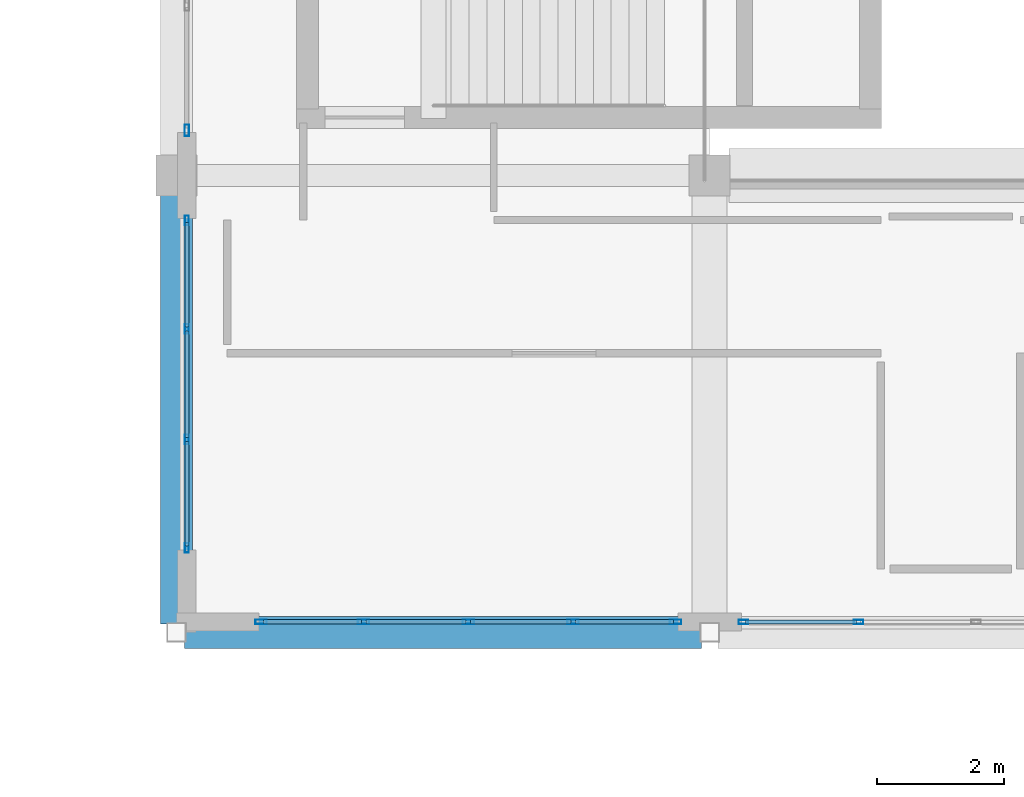
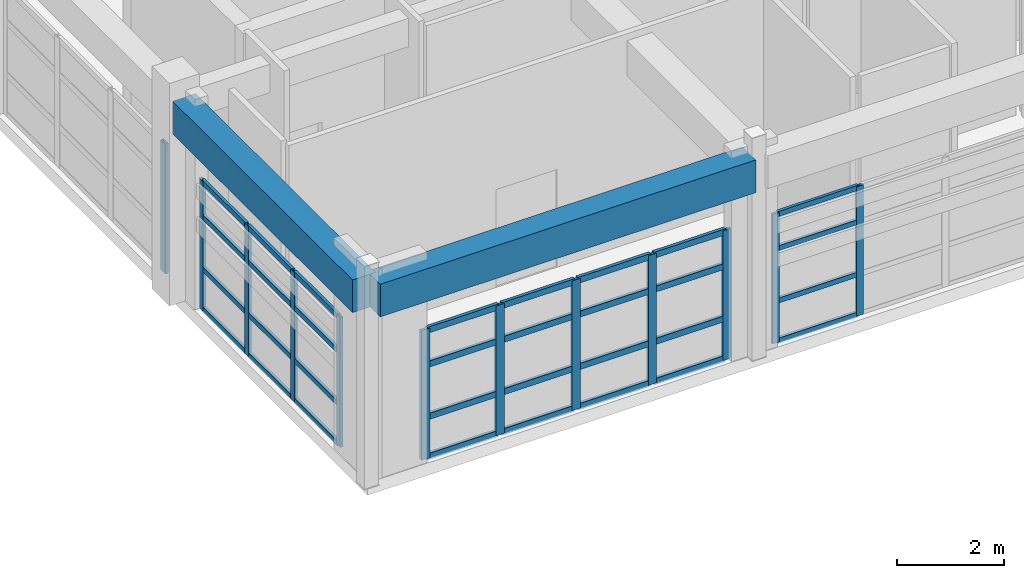
# One storey, part 57 of 103: 44 members, 2 beams, 4 elements without a shape of their own.
"""IFC4 building model written with IfcOpenShell, lengths in metres."""

from ifc_helpers import new_model, si_unit, direction, frame, origin, origin_2d, place, context, subcontext, project, spatial, rectangle, hollow_rectangle, extrude, material, layer, layer_set, material_profile, profile_set, type_object, element, aggregate, save


model = new_model("IFC4")

# Units and contexts
model_context = context("Model", 3, precision=1e-05, world=origin(), true_north=direction((0.0, 1.0)))
body_context = subcontext(model_context, "Body", "Model", "MODEL_VIEW")
ifc_project = project(units=[si_unit("LENGTHUNIT", "METRE"), si_unit("AREAUNIT", "SQUARE_METRE"), si_unit("VOLUMEUNIT", "CUBIC_METRE"), si_unit("PLANEANGLEUNIT", "RADIAN"), si_unit("MASSUNIT", "GRAM", prefix="KILO")], contexts=[model_context])

# Site, building, storey
site_placement = place(None, origin())
site = spatial("IfcSite", under=ifc_project, at=site_placement, CompositionType="ELEMENT")
building_placement = place(site_placement, origin())
building = spatial("IfcBuilding", under=site, at=building_placement, Name="Quendrovan Civic Courthouse", CompositionType="ELEMENT")
storey_placement = place(building_placement, frame((0.0, 0.0, 15.300048828125)))
storey = spatial("IfcBuildingStorey", under=building, at=storey_placement, Name="L04", CompositionType="ELEMENT", Elevation=15.300048828125)

# Beams
ifc_material_1 = material(Name="Concrete C40/50", Category="concrete")
ifc_material_profile_1 = material_profile(ifc_material_1, rectangle(XDim=0.5, YDim=0.75, at=origin_2d()), Name="RC-BM-500x750")
ifc_profile_set_1 = profile_set([ifc_material_profile_1], Name="Concrete C40/50")
beam_type = type_object("IfcBeamType", Name="BM-RC750", PredefinedType="SPANDREL", material=ifc_profile_set_1)
beam_1_placement = place(storey_placement, frame((109.330078125, 87.60009765625, 4.284912109375), z_axis=(1.0, 0.0, 0.0), x_axis=(0.0, 1.0, 0.0)))
element("IfcBeam", 1, at=beam_1_placement, inside=storey, type_object=beam_type, Name="L04 Girder X0910", PredefinedType="SPANDREL", context=body_context, shape_type="SweptSolid", body=[
    extrude(rectangle(XDim=0.5, YDim=0.75, at=origin_2d()), origin(), (0.0, 0.0, 1.0), 8.139892578125),
])
beam_2_placement = place(storey_placement, frame((109.199951171875, 87.72998046875, 4.284912109375), z_axis=(0.0, 1.0, 0.0), x_axis=(-1.0, 0.0, 0.0)))
element("IfcBeam", 2, at=beam_2_placement, inside=storey, type_object=beam_type, Name="L04 Girder Y0986", PredefinedType="SPANDREL", context=body_context, shape_type="SweptSolid", body=[
    extrude(rectangle(XDim=0.5, YDim=0.75, at=origin_2d()), origin(), (0.0, 0.0, 1.0), 6.76513671875),
])

# Curtain wall, members
ifc_material_2 = material(Name="Bronze anodised aluminium and low-E glass", Category="aluminium")
ifc_layer_1 = layer(ifc_material_2, 0.179931640625, Name="Bronze anodised aluminium and low-E glass")
ifc_layer_set_1 = layer_set([ifc_layer_1], Name="Bronze anodised aluminium and low-E glass")
curtain_wall_type_1 = type_object("IfcCurtainWallType", Name="CW-U66x30", PredefinedType="USERDEFINED", material=ifc_layer_set_1)
curtain_wall_1_placement = place(storey_placement, origin())
curtain_wall_1 = element("IfcCurtainWall", 3, at=curtain_wall_1_placement, inside=storey, type_object=curtain_wall_type_1, Name="L04 Unitised Hurricane Curtain Wall CW-176", ObjectType="UNITISED CURTAIN WALL", PredefinedType="USERDEFINED")
ifc_material_3 = material(Name="Bronze anodised aluminium", Category="aluminium")
ifc_material_profile_2 = material_profile(ifc_material_3, hollow_rectangle(XDim=0.070068359375, YDim=0.179931640625, WallThickness=0.00390625, at=origin_2d()), Name="CW-MULL-70x180")
ifc_profile_set_2 = profile_set([ifc_material_profile_2], Name="Bronze anodised aluminium")
member_type_1 = type_object("IfcMemberType", Name="CW-MULL-A", PredefinedType="MULLION", material=ifc_profile_set_2)
member_1_placement = place(storey_placement, frame((117.06494140625, 87.764892578125, 0.0), z_axis=(0.0, 0.0, 1.0), x_axis=(0.0, -1.0, 0.0)))
member_1 = element("IfcMember", 4, at=member_1_placement, type_object=member_type_1, Name="CW-176 mullion 1", PredefinedType="MULLION", context=body_context, shape_type="SweptSolid", body=[
    extrude(hollow_rectangle(XDim=0.070068359375, YDim=0.179931640625, WallThickness=0.00390625, at=origin_2d()), origin(), (0.0, 0.0, 1.0), 2.969970703125),
])
member_2_placement = place(storey_placement, frame((115.449951171875, 87.764892578125, 0.0), z_axis=(0.0, 0.0, 1.0), x_axis=(0.0, -1.0, 0.0)))
member_2 = element("IfcMember", 5, at=member_2_placement, type_object=member_type_1, Name="CW-176 mullion 2", PredefinedType="MULLION", context=body_context, shape_type="SweptSolid", body=[
    extrude(hollow_rectangle(XDim=0.070068359375, YDim=0.179931640625, WallThickness=0.00390625, at=origin_2d()), origin(), (0.0, 0.0, 1.0), 2.969970703125),
])
member_3_placement = place(storey_placement, frame((113.800048828125, 87.764892578125, 0.0), z_axis=(0.0, 0.0, 1.0), x_axis=(0.0, -1.0, 0.0)))
member_3 = element("IfcMember", 6, at=member_3_placement, type_object=member_type_1, Name="CW-176 mullion 3", PredefinedType="MULLION", context=body_context, shape_type="SweptSolid", body=[
    extrude(hollow_rectangle(XDim=0.070068359375, YDim=0.179931640625, WallThickness=0.00390625, at=origin_2d()), origin(), (0.0, 0.0, 1.0), 2.969970703125),
])
member_4_placement = place(storey_placement, frame((112.14990234375, 87.764892578125, 0.0), z_axis=(0.0, 0.0, 1.0), x_axis=(0.0, -1.0, 0.0)))
member_4 = element("IfcMember", 7, at=member_4_placement, type_object=member_type_1, Name="CW-176 mullion 4", PredefinedType="MULLION", context=body_context, shape_type="SweptSolid", body=[
    extrude(hollow_rectangle(XDim=0.070068359375, YDim=0.179931640625, WallThickness=0.00390625, at=origin_2d()), origin(), (0.0, 0.0, 1.0), 2.969970703125),
])
member_5_placement = place(storey_placement, frame((110.534912109375, 87.764892578125, 0.0), z_axis=(0.0, 0.0, 1.0), x_axis=(0.0, -1.0, 0.0)))
member_5 = element("IfcMember", 8, at=member_5_placement, type_object=member_type_1, Name="CW-176 mullion 5", PredefinedType="MULLION", context=body_context, shape_type="SweptSolid", body=[
    extrude(hollow_rectangle(XDim=0.070068359375, YDim=0.179931640625, WallThickness=0.00390625, at=origin_2d()), origin(), (0.0, 0.0, 1.0), 2.969970703125),
])

# Curtain wall, member
ifc_layer_2 = layer(ifc_material_2, 0.179931640625, Name="Bronze anodised aluminium and low-E glass")
ifc_layer_set_2 = layer_set([ifc_layer_2], Name="Bronze anodised aluminium and low-E glass")
curtain_wall_type_2 = type_object("IfcCurtainWallType", Name="CW-U60x30", PredefinedType="USERDEFINED", material=ifc_layer_set_2)
curtain_wall_2_placement = place(storey_placement, origin())
curtain_wall_2 = element("IfcCurtainWall", 9, at=curtain_wall_2_placement, inside=storey, type_object=curtain_wall_type_2, Name="L04 Unitised Hurricane Curtain Wall CW-178", ObjectType="UNITISED CURTAIN WALL", PredefinedType="USERDEFINED")
member_6_placement = place(storey_placement, frame((109.364990234375, 95.510009765625, 0.0), z_axis=(0.0, 0.0, 1.0), x_axis=(-1.0, 0.0, 0.0)))
member_6 = element("IfcMember", 10, at=member_6_placement, type_object=member_type_1, Name="CW-178 mullion 1", PredefinedType="MULLION", context=body_context, shape_type="SweptSolid", body=[
    extrude(hollow_rectangle(XDim=0.070068359375, YDim=0.179931640625, WallThickness=0.00390625, at=origin_2d()), origin(), (0.0, 0.0, 1.0), 2.969970703125),
])
aggregate(curtain_wall_2, [member_6])

# Curtain wall, members
ifc_layer_3 = layer(ifc_material_2, 0.179931640625, Name="Bronze anodised aluminium and low-E glass")
ifc_layer_set_3 = layer_set([ifc_layer_3], Name="Bronze anodised aluminium and low-E glass")
curtain_wall_type_3 = type_object("IfcCurtainWallType", Name="CW-U74x30", PredefinedType="USERDEFINED", material=ifc_layer_set_3)
curtain_wall_3_placement = place(storey_placement, origin())
curtain_wall_3 = element("IfcCurtainWall", 11, at=curtain_wall_3_placement, inside=storey, type_object=curtain_wall_type_3, Name="L04 Unitised Hurricane Curtain Wall CW-175", ObjectType="UNITISED CURTAIN WALL", PredefinedType="USERDEFINED")
ifc_material_profile_3 = material_profile(ifc_material_3, hollow_rectangle(XDim=0.06494140625, YDim=0.14990234375, WallThickness=0.00390625, at=origin_2d()), Name="CW-MULL-65x150")
ifc_profile_set_3 = profile_set([ifc_material_profile_3], Name="Bronze anodised aluminium")
member_type_2 = type_object("IfcMemberType", Name="CW-MULL-B", PredefinedType="MULLION", material=ifc_profile_set_3)
member_7_placement = place(storey_placement, frame((119.949951171875, 87.764892578125, 0.0), z_axis=(0.0, 0.0, 1.0), x_axis=(0.0, -1.0, 0.0)))
member_7 = element("IfcMember", 12, at=member_7_placement, type_object=member_type_2, Name="CW-175 mullion 4", PredefinedType="MULLION", context=body_context, shape_type="SweptSolid", body=[
    extrude(hollow_rectangle(XDim=0.06494140625, YDim=0.14990234375, WallThickness=0.00390625, at=origin_2d()), origin(), (0.0, 0.0, 1.0), 2.969970703125),
])
member_8_placement = place(storey_placement, frame((118.132568359375, 87.764892578125, 0.0), z_axis=(0.0, 0.0, 1.0), x_axis=(0.0, -1.0, 0.0)))
member_8 = element("IfcMember", 13, at=member_8_placement, type_object=member_type_2, Name="CW-175 mullion 5", PredefinedType="MULLION", context=body_context, shape_type="SweptSolid", body=[
    extrude(hollow_rectangle(XDim=0.06494140625, YDim=0.14990234375, WallThickness=0.00390625, at=origin_2d()), origin(), (0.0, 0.0, 1.0), 2.969970703125),
])

ifc_layer_4 = layer(ifc_material_2, 0.179931640625, Name="Bronze anodised aluminium and low-E glass")
ifc_layer_set_4 = layer_set([ifc_layer_4], Name="Bronze anodised aluminium and low-E glass")
curtain_wall_type_4 = type_object("IfcCurtainWallType", Name="CW-U52x30", PredefinedType="USERDEFINED", material=ifc_layer_set_4)
curtain_wall_4_placement = place(storey_placement, origin())
curtain_wall_4 = element("IfcCurtainWall", 14, at=curtain_wall_4_placement, inside=storey, type_object=curtain_wall_type_4, Name="L04 Unitised Hurricane Curtain Wall CW-177", ObjectType="UNITISED CURTAIN WALL", PredefinedType="USERDEFINED")
member_9_placement = place(storey_placement, frame((109.364990234375, 88.9326171875, 0.0), z_axis=(0.0, 0.0, 1.0), x_axis=(-1.0, 0.0, 0.0)))
member_9 = element("IfcMember", 15, at=member_9_placement, type_object=member_type_2, Name="CW-177 mullion 1", PredefinedType="MULLION", context=body_context, shape_type="SweptSolid", body=[
    extrude(hollow_rectangle(XDim=0.06494140625, YDim=0.14990234375, WallThickness=0.00390625, at=origin_2d()), origin(), (0.0, 0.0, 1.0), 2.969970703125),
])
member_10_placement = place(storey_placement, frame((109.364990234375, 90.6416015625, 0.0), z_axis=(0.0, 0.0, 1.0), x_axis=(-1.0, 0.0, 0.0)))
member_10 = element("IfcMember", 16, at=member_10_placement, type_object=member_type_2, Name="CW-177 mullion 2", PredefinedType="MULLION", context=body_context, shape_type="SweptSolid", body=[
    extrude(hollow_rectangle(XDim=0.06494140625, YDim=0.14990234375, WallThickness=0.00390625, at=origin_2d()), origin(), (0.0, 0.0, 1.0), 2.969970703125),
])
member_11_placement = place(storey_placement, frame((109.364990234375, 92.38330078125, 0.0), z_axis=(0.0, 0.0, 1.0), x_axis=(-1.0, 0.0, 0.0)))
member_11 = element("IfcMember", 17, at=member_11_placement, type_object=member_type_2, Name="CW-177 mullion 3", PredefinedType="MULLION", context=body_context, shape_type="SweptSolid", body=[
    extrude(hollow_rectangle(XDim=0.06494140625, YDim=0.14990234375, WallThickness=0.00390625, at=origin_2d()), origin(), (0.0, 0.0, 1.0), 2.969970703125),
])
member_12_placement = place(storey_placement, frame((109.364990234375, 94.092529296875, 0.0), z_axis=(0.0, 0.0, 1.0), x_axis=(-1.0, 0.0, 0.0)))
member_12 = element("IfcMember", 18, at=member_12_placement, type_object=member_type_2, Name="CW-177 mullion 4", PredefinedType="MULLION", context=body_context, shape_type="SweptSolid", body=[
    extrude(hollow_rectangle(XDim=0.06494140625, YDim=0.14990234375, WallThickness=0.00390625, at=origin_2d()), origin(), (0.0, 0.0, 1.0), 2.969970703125),
])

# Member
ifc_material_profile_4 = material_profile(ifc_material_3, hollow_rectangle(XDim=0.070068359375, YDim=0.139892578125, WallThickness=0.00390625, at=origin_2d()), Name="CW-TRAN-70x140")
ifc_profile_set_4 = profile_set([ifc_material_profile_4], Name="Bronze anodised aluminium")
member_type_3 = type_object("IfcMemberType", Name="CW-TRAN-A", PredefinedType="USERDEFINED", material=ifc_profile_set_4)
member_13_placement = place(storey_placement, frame((117.030029296875, 87.764892578125, 0.034912109375), z_axis=(-1.0, 0.0, 0.0), x_axis=(0.0, -1.0, 0.0)))
member_13 = element("IfcMember", 19, at=member_13_placement, type_object=member_type_3, Name="CW-176 transom 1.1", ObjectType="TRANSOM", PredefinedType="USERDEFINED", context=body_context, shape_type="SweptSolid", body=[
    extrude(hollow_rectangle(XDim=0.070068359375, YDim=0.139892578125, WallThickness=0.00390625, at=origin_2d()), origin(), (0.0, 0.0, 1.0), 1.544921875),
])

member_14_placement = place(storey_placement, frame((117.030029296875, 87.764892578125, 0.949951171875), z_axis=(-1.0, 0.0, 0.0), x_axis=(0.0, -1.0, 0.0)))
member_14 = element("IfcMember", 20, at=member_14_placement, type_object=member_type_3, Name="CW-176 transom 1.2", ObjectType="TRANSOM", PredefinedType="USERDEFINED", context=body_context, shape_type="SweptSolid", body=[
    extrude(hollow_rectangle(XDim=0.070068359375, YDim=0.139892578125, WallThickness=0.00390625, at=origin_2d()), origin(), (0.0, 0.0, 1.0), 1.544921875),
])

member_15_placement = place(storey_placement, frame((117.030029296875, 87.764892578125, 2.14990234375), z_axis=(-1.0, 0.0, 0.0), x_axis=(0.0, -1.0, 0.0)))
member_15 = element("IfcMember", 21, at=member_15_placement, type_object=member_type_3, Name="CW-176 transom 1.3", ObjectType="TRANSOM", PredefinedType="USERDEFINED", context=body_context, shape_type="SweptSolid", body=[
    extrude(hollow_rectangle(XDim=0.070068359375, YDim=0.139892578125, WallThickness=0.00390625, at=origin_2d()), origin(), (0.0, 0.0, 1.0), 1.544921875),
])

member_16_placement = place(storey_placement, frame((117.030029296875, 87.764892578125, 2.93505859375), z_axis=(-1.0, 0.0, 0.0), x_axis=(0.0, -1.0, 0.0)))
member_16 = element("IfcMember", 22, at=member_16_placement, type_object=member_type_3, Name="CW-176 transom 1.4", ObjectType="TRANSOM", PredefinedType="USERDEFINED", context=body_context, shape_type="SweptSolid", body=[
    extrude(hollow_rectangle(XDim=0.070068359375, YDim=0.139892578125, WallThickness=0.00390625, at=origin_2d()), origin(), (0.0, 0.0, 1.0), 1.544921875),
])

member_17_placement = place(storey_placement, frame((115.4150390625, 87.764892578125, 0.034912109375), z_axis=(-1.0, 0.0, 0.0), x_axis=(0.0, -1.0, 0.0)))
member_17 = element("IfcMember", 23, at=member_17_placement, type_object=member_type_3, Name="CW-176 transom 2.1", ObjectType="TRANSOM", PredefinedType="USERDEFINED", context=body_context, shape_type="SweptSolid", body=[
    extrude(hollow_rectangle(XDim=0.070068359375, YDim=0.139892578125, WallThickness=0.00390625, at=origin_2d()), origin(), (0.0, 0.0, 1.0), 1.580078125),
])

member_18_placement = place(storey_placement, frame((115.4150390625, 87.764892578125, 0.949951171875), z_axis=(-1.0, 0.0, 0.0), x_axis=(0.0, -1.0, 0.0)))
member_18 = element("IfcMember", 24, at=member_18_placement, type_object=member_type_3, Name="CW-176 transom 2.2", ObjectType="TRANSOM", PredefinedType="USERDEFINED", context=body_context, shape_type="SweptSolid", body=[
    extrude(hollow_rectangle(XDim=0.070068359375, YDim=0.139892578125, WallThickness=0.00390625, at=origin_2d()), origin(), (0.0, 0.0, 1.0), 1.580078125),
])

member_19_placement = place(storey_placement, frame((115.4150390625, 87.764892578125, 2.14990234375), z_axis=(-1.0, 0.0, 0.0), x_axis=(0.0, -1.0, 0.0)))
member_19 = element("IfcMember", 25, at=member_19_placement, type_object=member_type_3, Name="CW-176 transom 2.3", ObjectType="TRANSOM", PredefinedType="USERDEFINED", context=body_context, shape_type="SweptSolid", body=[
    extrude(hollow_rectangle(XDim=0.070068359375, YDim=0.139892578125, WallThickness=0.00390625, at=origin_2d()), origin(), (0.0, 0.0, 1.0), 1.580078125),
])

member_20_placement = place(storey_placement, frame((115.4150390625, 87.764892578125, 2.93505859375), z_axis=(-1.0, 0.0, 0.0), x_axis=(0.0, -1.0, 0.0)))
member_20 = element("IfcMember", 26, at=member_20_placement, type_object=member_type_3, Name="CW-176 transom 2.4", ObjectType="TRANSOM", PredefinedType="USERDEFINED", context=body_context, shape_type="SweptSolid", body=[
    extrude(hollow_rectangle(XDim=0.070068359375, YDim=0.139892578125, WallThickness=0.00390625, at=origin_2d()), origin(), (0.0, 0.0, 1.0), 1.580078125),
])

member_21_placement = place(storey_placement, frame((113.764892578125, 87.764892578125, 0.034912109375), z_axis=(-1.0, 0.0, 0.0), x_axis=(0.0, -1.0, 0.0)))
member_21 = element("IfcMember", 27, at=member_21_placement, type_object=member_type_3, Name="CW-176 transom 3.1", ObjectType="TRANSOM", PredefinedType="USERDEFINED", context=body_context, shape_type="SweptSolid", body=[
    extrude(hollow_rectangle(XDim=0.070068359375, YDim=0.139892578125, WallThickness=0.00390625, at=origin_2d()), origin(), (0.0, 0.0, 1.0), 1.579833984375),
])

member_22_placement = place(storey_placement, frame((113.764892578125, 87.764892578125, 0.949951171875), z_axis=(-1.0, 0.0, 0.0), x_axis=(0.0, -1.0, 0.0)))
member_22 = element("IfcMember", 28, at=member_22_placement, type_object=member_type_3, Name="CW-176 transom 3.2", ObjectType="TRANSOM", PredefinedType="USERDEFINED", context=body_context, shape_type="SweptSolid", body=[
    extrude(hollow_rectangle(XDim=0.070068359375, YDim=0.139892578125, WallThickness=0.00390625, at=origin_2d()), origin(), (0.0, 0.0, 1.0), 1.579833984375),
])

member_23_placement = place(storey_placement, frame((113.764892578125, 87.764892578125, 2.14990234375), z_axis=(-1.0, 0.0, 0.0), x_axis=(0.0, -1.0, 0.0)))
member_23 = element("IfcMember", 29, at=member_23_placement, type_object=member_type_3, Name="CW-176 transom 3.3", ObjectType="TRANSOM", PredefinedType="USERDEFINED", context=body_context, shape_type="SweptSolid", body=[
    extrude(hollow_rectangle(XDim=0.070068359375, YDim=0.139892578125, WallThickness=0.00390625, at=origin_2d()), origin(), (0.0, 0.0, 1.0), 1.579833984375),
])

member_24_placement = place(storey_placement, frame((113.764892578125, 87.764892578125, 2.93505859375), z_axis=(-1.0, 0.0, 0.0), x_axis=(0.0, -1.0, 0.0)))
member_24 = element("IfcMember", 30, at=member_24_placement, type_object=member_type_3, Name="CW-176 transom 3.4", ObjectType="TRANSOM", PredefinedType="USERDEFINED", context=body_context, shape_type="SweptSolid", body=[
    extrude(hollow_rectangle(XDim=0.070068359375, YDim=0.139892578125, WallThickness=0.00390625, at=origin_2d()), origin(), (0.0, 0.0, 1.0), 1.579833984375),
])

member_25_placement = place(storey_placement, frame((112.114990234375, 87.764892578125, 0.034912109375), z_axis=(-1.0, 0.0, 0.0), x_axis=(0.0, -1.0, 0.0)))
member_25 = element("IfcMember", 31, at=member_25_placement, type_object=member_type_3, Name="CW-176 transom 4.1", ObjectType="TRANSOM", PredefinedType="USERDEFINED", context=body_context, shape_type="SweptSolid", body=[
    extrude(hollow_rectangle(XDim=0.070068359375, YDim=0.139892578125, WallThickness=0.00390625, at=origin_2d()), origin(), (0.0, 0.0, 1.0), 1.544921875),
])

member_26_placement = place(storey_placement, frame((112.114990234375, 87.764892578125, 0.949951171875), z_axis=(-1.0, 0.0, 0.0), x_axis=(0.0, -1.0, 0.0)))
member_26 = element("IfcMember", 32, at=member_26_placement, type_object=member_type_3, Name="CW-176 transom 4.2", ObjectType="TRANSOM", PredefinedType="USERDEFINED", context=body_context, shape_type="SweptSolid", body=[
    extrude(hollow_rectangle(XDim=0.070068359375, YDim=0.139892578125, WallThickness=0.00390625, at=origin_2d()), origin(), (0.0, 0.0, 1.0), 1.544921875),
])

member_27_placement = place(storey_placement, frame((112.114990234375, 87.764892578125, 2.14990234375), z_axis=(-1.0, 0.0, 0.0), x_axis=(0.0, -1.0, 0.0)))
member_27 = element("IfcMember", 33, at=member_27_placement, type_object=member_type_3, Name="CW-176 transom 4.3", ObjectType="TRANSOM", PredefinedType="USERDEFINED", context=body_context, shape_type="SweptSolid", body=[
    extrude(hollow_rectangle(XDim=0.070068359375, YDim=0.139892578125, WallThickness=0.00390625, at=origin_2d()), origin(), (0.0, 0.0, 1.0), 1.544921875),
])

member_28_placement = place(storey_placement, frame((112.114990234375, 87.764892578125, 2.93505859375), z_axis=(-1.0, 0.0, 0.0), x_axis=(0.0, -1.0, 0.0)))
member_28 = element("IfcMember", 34, at=member_28_placement, type_object=member_type_3, Name="CW-176 transom 4.4", ObjectType="TRANSOM", PredefinedType="USERDEFINED", context=body_context, shape_type="SweptSolid", body=[
    extrude(hollow_rectangle(XDim=0.070068359375, YDim=0.139892578125, WallThickness=0.00390625, at=origin_2d()), origin(), (0.0, 0.0, 1.0), 1.544921875),
])

aggregate(curtain_wall_1, [member_1, member_2, member_3, member_4, member_5, member_13, member_14, member_15, member_16, member_17, member_18, member_19, member_20, member_21, member_22, member_23, member_24, member_25, member_26, member_27, member_28])

ifc_material_profile_5 = material_profile(ifc_material_3, hollow_rectangle(XDim=0.06494140625, YDim=0.114990234375, WallThickness=0.00390625, at=origin_2d()), Name="CW-TRAN-65x115")
ifc_profile_set_5 = profile_set([ifc_material_profile_5], Name="Bronze anodised aluminium")
member_type_4 = type_object("IfcMemberType", Name="CW-TRAN-B", PredefinedType="USERDEFINED", material=ifc_profile_set_5)
member_29_placement = place(storey_placement, frame((119.91748046875, 87.764892578125, 0.032470703125), z_axis=(-1.0, 0.0, 0.0), x_axis=(0.0, -1.0, 0.0)))
member_29 = element("IfcMember", 35, at=member_29_placement, type_object=member_type_4, Name="CW-175 transom 4.1", ObjectType="TRANSOM", PredefinedType="USERDEFINED", context=body_context, shape_type="SweptSolid", body=[
    extrude(hollow_rectangle(XDim=0.06494140625, YDim=0.114990234375, WallThickness=0.00390625, at=origin_2d()), origin(), (0.0, 0.0, 1.0), 1.75244140625),
])

member_30_placement = place(storey_placement, frame((119.91748046875, 87.764892578125, 0.949951171875), z_axis=(-1.0, 0.0, 0.0), x_axis=(0.0, -1.0, 0.0)))
member_30 = element("IfcMember", 36, at=member_30_placement, type_object=member_type_4, Name="CW-175 transom 4.2", ObjectType="TRANSOM", PredefinedType="USERDEFINED", context=body_context, shape_type="SweptSolid", body=[
    extrude(hollow_rectangle(XDim=0.06494140625, YDim=0.114990234375, WallThickness=0.00390625, at=origin_2d()), origin(), (0.0, 0.0, 1.0), 1.75244140625),
])

member_31_placement = place(storey_placement, frame((119.91748046875, 87.764892578125, 2.14990234375), z_axis=(-1.0, 0.0, 0.0), x_axis=(0.0, -1.0, 0.0)))
member_31 = element("IfcMember", 37, at=member_31_placement, type_object=member_type_4, Name="CW-175 transom 4.3", ObjectType="TRANSOM", PredefinedType="USERDEFINED", context=body_context, shape_type="SweptSolid", body=[
    extrude(hollow_rectangle(XDim=0.06494140625, YDim=0.114990234375, WallThickness=0.00390625, at=origin_2d()), origin(), (0.0, 0.0, 1.0), 1.75244140625),
])

member_32_placement = place(storey_placement, frame((119.91748046875, 87.764892578125, 2.9375), z_axis=(-1.0, 0.0, 0.0), x_axis=(0.0, -1.0, 0.0)))
member_32 = element("IfcMember", 38, at=member_32_placement, type_object=member_type_4, Name="CW-175 transom 4.4", ObjectType="TRANSOM", PredefinedType="USERDEFINED", context=body_context, shape_type="SweptSolid", body=[
    extrude(hollow_rectangle(XDim=0.06494140625, YDim=0.114990234375, WallThickness=0.00390625, at=origin_2d()), origin(), (0.0, 0.0, 1.0), 1.75244140625),
])

aggregate(curtain_wall_3, [member_7, member_8, member_29, member_30, member_31, member_32])

member_33_placement = place(storey_placement, frame((109.364990234375, 88.965087890625, 0.032470703125), z_axis=(0.0, 1.0, 0.0), x_axis=(-1.0, 0.0, 0.0)))
member_33 = element("IfcMember", 39, at=member_33_placement, type_object=member_type_4, Name="CW-177 transom 1.1", ObjectType="TRANSOM", PredefinedType="USERDEFINED", context=body_context, shape_type="SweptSolid", body=[
    extrude(hollow_rectangle(XDim=0.06494140625, YDim=0.114990234375, WallThickness=0.00390625, at=origin_2d()), origin(), (0.0, 0.0, 1.0), 1.64404296875),
])

member_34_placement = place(storey_placement, frame((109.364990234375, 88.965087890625, 0.949951171875), z_axis=(0.0, 1.0, 0.0), x_axis=(-1.0, 0.0, 0.0)))
member_34 = element("IfcMember", 40, at=member_34_placement, type_object=member_type_4, Name="CW-177 transom 1.2", ObjectType="TRANSOM", PredefinedType="USERDEFINED", context=body_context, shape_type="SweptSolid", body=[
    extrude(hollow_rectangle(XDim=0.06494140625, YDim=0.114990234375, WallThickness=0.00390625, at=origin_2d()), origin(), (0.0, 0.0, 1.0), 1.64404296875),
])

member_35_placement = place(storey_placement, frame((109.364990234375, 88.965087890625, 2.14990234375), z_axis=(0.0, 1.0, 0.0), x_axis=(-1.0, 0.0, 0.0)))
member_35 = element("IfcMember", 41, at=member_35_placement, type_object=member_type_4, Name="CW-177 transom 1.3", ObjectType="TRANSOM", PredefinedType="USERDEFINED", context=body_context, shape_type="SweptSolid", body=[
    extrude(hollow_rectangle(XDim=0.06494140625, YDim=0.114990234375, WallThickness=0.00390625, at=origin_2d()), origin(), (0.0, 0.0, 1.0), 1.64404296875),
])

member_36_placement = place(storey_placement, frame((109.364990234375, 88.965087890625, 2.9375), z_axis=(0.0, 1.0, 0.0), x_axis=(-1.0, 0.0, 0.0)))
member_36 = element("IfcMember", 42, at=member_36_placement, type_object=member_type_4, Name="CW-177 transom 1.4", ObjectType="TRANSOM", PredefinedType="USERDEFINED", context=body_context, shape_type="SweptSolid", body=[
    extrude(hollow_rectangle(XDim=0.06494140625, YDim=0.114990234375, WallThickness=0.00390625, at=origin_2d()), origin(), (0.0, 0.0, 1.0), 1.64404296875),
])

member_37_placement = place(storey_placement, frame((109.364990234375, 90.674072265625, 0.032470703125), z_axis=(0.0, 1.0, 0.0), x_axis=(-1.0, 0.0, 0.0)))
member_37 = element("IfcMember", 43, at=member_37_placement, type_object=member_type_4, Name="CW-177 transom 2.1", ObjectType="TRANSOM", PredefinedType="USERDEFINED", context=body_context, shape_type="SweptSolid", body=[
    extrude(hollow_rectangle(XDim=0.06494140625, YDim=0.114990234375, WallThickness=0.00390625, at=origin_2d()), origin(), (0.0, 0.0, 1.0), 1.6767578125),
])

member_38_placement = place(storey_placement, frame((109.364990234375, 90.674072265625, 0.949951171875), z_axis=(0.0, 1.0, 0.0), x_axis=(-1.0, 0.0, 0.0)))
member_38 = element("IfcMember", 44, at=member_38_placement, type_object=member_type_4, Name="CW-177 transom 2.2", ObjectType="TRANSOM", PredefinedType="USERDEFINED", context=body_context, shape_type="SweptSolid", body=[
    extrude(hollow_rectangle(XDim=0.06494140625, YDim=0.114990234375, WallThickness=0.00390625, at=origin_2d()), origin(), (0.0, 0.0, 1.0), 1.6767578125),
])

member_39_placement = place(storey_placement, frame((109.364990234375, 90.674072265625, 2.14990234375), z_axis=(0.0, 1.0, 0.0), x_axis=(-1.0, 0.0, 0.0)))
member_39 = element("IfcMember", 45, at=member_39_placement, type_object=member_type_4, Name="CW-177 transom 2.3", ObjectType="TRANSOM", PredefinedType="USERDEFINED", context=body_context, shape_type="SweptSolid", body=[
    extrude(hollow_rectangle(XDim=0.06494140625, YDim=0.114990234375, WallThickness=0.00390625, at=origin_2d()), origin(), (0.0, 0.0, 1.0), 1.6767578125),
])

member_40_placement = place(storey_placement, frame((109.364990234375, 90.674072265625, 2.9375), z_axis=(0.0, 1.0, 0.0), x_axis=(-1.0, 0.0, 0.0)))
member_40 = element("IfcMember", 46, at=member_40_placement, type_object=member_type_4, Name="CW-177 transom 2.4", ObjectType="TRANSOM", PredefinedType="USERDEFINED", context=body_context, shape_type="SweptSolid", body=[
    extrude(hollow_rectangle(XDim=0.06494140625, YDim=0.114990234375, WallThickness=0.00390625, at=origin_2d()), origin(), (0.0, 0.0, 1.0), 1.6767578125),
])

member_41_placement = place(storey_placement, frame((109.364990234375, 92.415771484375, 0.032470703125), z_axis=(0.0, 1.0, 0.0), x_axis=(-1.0, 0.0, 0.0)))
member_41 = element("IfcMember", 47, at=member_41_placement, type_object=member_type_4, Name="CW-177 transom 3.1", ObjectType="TRANSOM", PredefinedType="USERDEFINED", context=body_context, shape_type="SweptSolid", body=[
    extrude(hollow_rectangle(XDim=0.06494140625, YDim=0.114990234375, WallThickness=0.00390625, at=origin_2d()), origin(), (0.0, 0.0, 1.0), 1.644287109375),
])

member_42_placement = place(storey_placement, frame((109.364990234375, 92.415771484375, 0.949951171875), z_axis=(0.0, 1.0, 0.0), x_axis=(-1.0, 0.0, 0.0)))
member_42 = element("IfcMember", 48, at=member_42_placement, type_object=member_type_4, Name="CW-177 transom 3.2", ObjectType="TRANSOM", PredefinedType="USERDEFINED", context=body_context, shape_type="SweptSolid", body=[
    extrude(hollow_rectangle(XDim=0.06494140625, YDim=0.114990234375, WallThickness=0.00390625, at=origin_2d()), origin(), (0.0, 0.0, 1.0), 1.644287109375),
])

member_43_placement = place(storey_placement, frame((109.364990234375, 92.415771484375, 2.14990234375), z_axis=(0.0, 1.0, 0.0), x_axis=(-1.0, 0.0, 0.0)))
member_43 = element("IfcMember", 49, at=member_43_placement, type_object=member_type_4, Name="CW-177 transom 3.3", ObjectType="TRANSOM", PredefinedType="USERDEFINED", context=body_context, shape_type="SweptSolid", body=[
    extrude(hollow_rectangle(XDim=0.06494140625, YDim=0.114990234375, WallThickness=0.00390625, at=origin_2d()), origin(), (0.0, 0.0, 1.0), 1.644287109375),
])

member_44_placement = place(storey_placement, frame((109.364990234375, 92.415771484375, 2.9375), z_axis=(0.0, 1.0, 0.0), x_axis=(-1.0, 0.0, 0.0)))
member_44 = element("IfcMember", 50, at=member_44_placement, type_object=member_type_4, Name="CW-177 transom 3.4", ObjectType="TRANSOM", PredefinedType="USERDEFINED", context=body_context, shape_type="SweptSolid", body=[
    extrude(hollow_rectangle(XDim=0.06494140625, YDim=0.114990234375, WallThickness=0.00390625, at=origin_2d()), origin(), (0.0, 0.0, 1.0), 1.644287109375),
])

aggregate(curtain_wall_4, [member_9, member_10, member_11, member_12, member_33, member_34, member_35, member_36, member_37, member_38, member_39, member_40, member_41, member_42, member_43, member_44])

save(model, "model.ifc")
